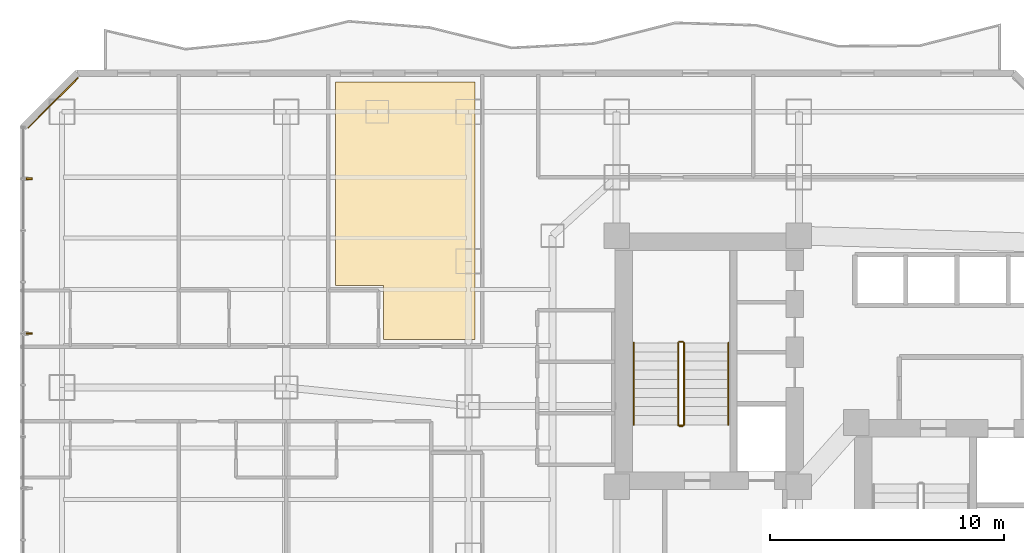
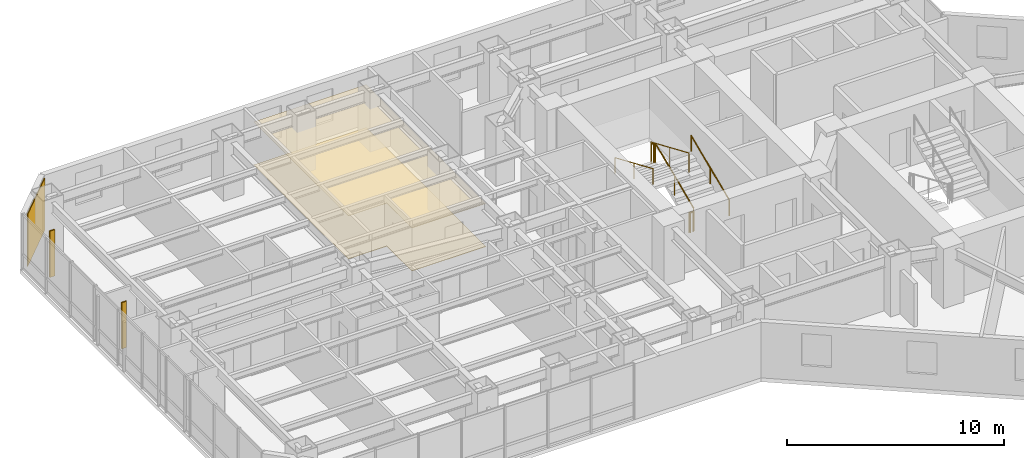
# One storey, part 35 of 37: 7 railings, 3 coverings, 2 shading devices.
"""IFC4 building model written with IfcOpenShell, lengths in metres."""

import ifcopenshell
import ifcopenshell.guid

model = None  # the IFC model being written
_history = None  # IfcOwnerHistory: only IFC2X3 demands one
_inside = {}  # id of a spatial element -> (the spatial element, [elements in it])
_under = {}  # id of a project, library or spatial element -> (it, [spatial elements below it])
_declared = {}  # id of a project -> (the project, [libraries it declares])
_typed = {}  # id of a type object -> (the type object, [elements of that type])
_made_of = {}  # id of a material, layer set ... -> (it, [elements and type objects made of it])


def new_model(schema):
    """Start an empty IFC model of exactly this schema.

    Asked for "IFC4X3", IfcOpenShell would pick the latest addendum, in which some entities
    have other attributes; the version numbers below select the first issue.
    IFC2X3 requires an IfcOwnerHistory on every rooted entity: one is made here for all.
    """
    global model, _history
    if schema == "IFC4X3":
        model = ifcopenshell.file(schema_version=(4, 3, 0, 0))
    else:
        model = ifcopenshell.file(schema=schema)
    _inside.clear()
    _under.clear()
    _declared.clear()
    _typed.clear()
    _made_of.clear()
    _history = None
    if model.schema == "IFC2X3":
        org = make("IfcOrganization", Name="unknown")
        user = make(
            "IfcPersonAndOrganization",
            ThePerson=make("IfcPerson", FamilyName="unknown"),
            TheOrganization=org,
        )
        app = make(
            "IfcApplication",
            ApplicationDeveloper=org,
            Version="unknown",
            ApplicationFullName="unknown",
            ApplicationIdentifier="unknown",
        )
        _history = make(
            "IfcOwnerHistory",
            OwningUser=user,
            OwningApplication=app,
            ChangeAction="ADDED",
            CreationDate=0,
        )
    return model


def make(cls, **values):
    """One entity of the class cls with the attributes given. An attribute that is None is left unset."""
    return model.create_entity(
        cls, **{name: value for name, value in values.items() if value is not None}
    )


def rooted(cls, **values):
    """An entity with a GlobalId (a new one), such as an element, a storey or a relation."""
    return make(cls, GlobalId=ifcopenshell.guid.new(), OwnerHistory=_history, **values)


def si_unit(unit_type, name, prefix=None):
    """IfcSIUnit, for example si_unit("LENGTHUNIT", "METRE", prefix="MILLI")."""
    return make("IfcSIUnit", UnitType=unit_type, Prefix=prefix, Name=name)


def assignment(units):
    """IfcUnitAssignment: the units of a project."""
    return None if units is None else make("IfcUnitAssignment", Units=units)


def point(xyz):
    """IfcCartesianPoint."""
    return None if xyz is None else make("IfcCartesianPoint", Coordinates=xyz)


def direction(xyz):
    """IfcDirection."""
    return None if xyz is None else make("IfcDirection", DirectionRatios=xyz)


def frame(location, z_axis=None, x_axis=None):
    """IfcAxis2Placement3D, a coordinate frame: its origin and axes. An axis left out is left unset."""
    return make(
        "IfcAxis2Placement3D",
        Location=point(location),
        Axis=direction(z_axis),
        RefDirection=direction(x_axis),
    )


def frame_2d(location, x_axis=None):
    """IfcAxis2Placement2D, a coordinate frame in the plane: its origin and x axis."""
    return make(
        "IfcAxis2Placement2D", Location=point(location), RefDirection=direction(x_axis)
    )


def origin():
    """The frame at (0, 0, 0) with its axes left unset."""
    return frame((0.0, 0.0, 0.0))


def origin_2d():
    """The frame at (0, 0) in the plane with its x axis left unset."""
    return frame_2d((0.0, 0.0))


def place(relative_to, where):
    """IfcLocalPlacement: puts the frame where relative to a parent placement (None: the world)."""
    return make(
        "IfcLocalPlacement", PlacementRelTo=relative_to, RelativePlacement=where
    )


def context(
    kind, dimensions, precision=None, world=None, true_north=None, identifier=None
):
    """IfcGeometricRepresentationContext, for example the 3D "Model" context."""
    return make(
        "IfcGeometricRepresentationContext",
        ContextIdentifier=identifier,
        ContextType=kind,
        CoordinateSpaceDimension=dimensions,
        Precision=precision,
        WorldCoordinateSystem=world,
        TrueNorth=true_north,
    )


def subcontext(parent, identifier, kind, view, scale=None):
    """IfcGeometricRepresentationSubContext, for example "Body" below "Model"."""
    return make(
        "IfcGeometricRepresentationSubContext",
        ContextIdentifier=identifier,
        ContextType=kind,
        ParentContext=parent,
        TargetScale=scale,
        TargetView=view,
    )


def project(units=None, contexts=None):
    """IfcProject with its units and contexts."""
    return rooted(
        "IfcProject",
        Name="project",
        RepresentationContexts=contexts,
        UnitsInContext=assignment(units),
    )


def spatial(cls, under=None, at=None, **own):
    """A site, building, storey or space (cls), placed at a placement, below another one or the project."""
    s = rooted(cls, ObjectPlacement=at, **own)
    if under is not None:
        _under.setdefault(under.id(), (under, []))[1].append(s)
    return s


def polyline(points):
    """IfcPolyline through the points."""
    return make("IfcPolyline", Points=[point(p) for p in points])


def profile(cls, at=None, kind="AREA", **sizes):
    """A parametric profile (cls). Its sizes go by their IFC names, for example OverallWidth=200.0."""
    return make(cls, ProfileType=kind, Position=at, **sizes)


def rectangle(**sizes):
    """IfcRectangleProfileDef."""
    return profile("IfcRectangleProfileDef", **sizes)


def circle(**sizes):
    """IfcCircleProfileDef."""
    return profile("IfcCircleProfileDef", **sizes)


def outline(outer, holes=None, kind="AREA"):
    """IfcArbitraryClosedProfileDef: a profile drawn as a closed curve; with holes, ...WithVoids."""
    if holes is None:
        return make("IfcArbitraryClosedProfileDef", ProfileType=kind, OuterCurve=outer)
    return make(
        "IfcArbitraryProfileDefWithVoids",
        ProfileType=kind,
        OuterCurve=outer,
        InnerCurves=holes,
    )


def extrude(swept, where, along, depth):
    """IfcExtrudedAreaSolid: the profile swept, set in the frame where, extruded along a direction by depth."""
    return make(
        "IfcExtrudedAreaSolid",
        SweptArea=swept,
        Position=where,
        ExtrudedDirection=direction(along),
        Depth=depth,
    )


def shape(context_of_items, identifier, shape_type, items):
    """IfcShapeRepresentation: the items that make up one representation, for example the "Body"."""
    return make(
        "IfcShapeRepresentation",
        ContextOfItems=context_of_items,
        RepresentationIdentifier=identifier,
        RepresentationType=shape_type,
        Items=items,
    )


def material(Name=None, Category=None):
    """IfcMaterial."""
    return make("IfcMaterial", Name=Name, Category=Category)


def layer(
    of_material, thickness, ventilated=None, Name=None, Category=None, Priority=None
):
    """IfcMaterialLayer: one layer of a wall or slab, of a material (None: an air gap)."""
    return make(
        "IfcMaterialLayer",
        Material=of_material,
        LayerThickness=thickness,
        IsVentilated=ventilated,
        Name=Name,
        Category=Category,
        Priority=Priority,
    )


def layer_set(layers, Name=None):
    """IfcMaterialLayerSet."""
    return make("IfcMaterialLayerSet", MaterialLayers=layers, LayerSetName=Name)


def made_of(thing, what):
    """Note that an element or type object is made of a material, layer set ...; save() writes the relation."""
    if what is not None:
        _made_of.setdefault(what.id(), (what, []))[1].append(thing)
    return thing


def type_object(cls, material=None, **own):
    """A type object (cls), such as IfcWallType, which elements share."""
    return made_of(rooted(cls, **own), material)


def element(
    cls,
    number,
    at=None,
    inside=None,
    cuts=None,
    type_object=None,
    material=None,
    context=None,
    identifier="Body",
    shape_type=None,
    held_by="IfcProductDefinitionShape",
    body=None,
    shapes=None,
    **own,
):
    """One element of the class cls, such as IfcWall. Its Tag is "e" and its number.

    at: its placement. inside: the storey or other place that contains it. cuts: it is an
    opening in that element (IfcRelVoidsElement). A single representation is given by context,
    identifier, shape_type and body (its items); several are given by shapes. held_by: the class
    of the entity that holds the representations. save() writes the other relations.
    """
    e = rooted(cls, Tag="e%d" % number, ObjectPlacement=at, **own)
    if body is not None:
        shapes = [shape(context, identifier, shape_type, body)]
    if shapes is not None:
        e.Representation = make(held_by, Representations=shapes)
    if inside is not None:
        _inside.setdefault(inside.id(), (inside, []))[1].append(e)
    if cuts is not None:
        rooted(
            "IfcRelVoidsElement", RelatingBuildingElement=cuts, RelatedOpeningElement=e
        )
    if type_object is not None:
        _typed.setdefault(type_object.id(), (type_object, []))[1].append(e)
    return made_of(e, material)


def aggregate(whole, parts):
    """IfcRelAggregates: a whole, such as a stair, and the parts it consists of."""
    return rooted("IfcRelAggregates", RelatingObject=whole, RelatedObjects=parts)


def save(model, path):
    """Write the relations noted so far, then the file.

    IfcRelAggregates (storeys below a building ...), IfcRelContainedInSpatialStructure (elements
    in a storey), IfcRelDefinesByType, IfcRelAssociatesMaterial and IfcRelDeclares: one each for
    every whole, place, type object, material and project.
    """
    for whole, parts in _under.values():
        aggregate(whole, parts)
    for where, things in _inside.values():
        rooted(
            "IfcRelContainedInSpatialStructure",
            RelatedElements=things,
            RelatingStructure=where,
        )
    for kind, things in _typed.values():
        rooted("IfcRelDefinesByType", RelatedObjects=things, RelatingType=kind)
    for what, things in _made_of.values():
        rooted("IfcRelAssociatesMaterial", RelatedObjects=things, RelatingMaterial=what)
    for by, libraries in _declared.values():
        rooted("IfcRelDeclares", RelatingContext=by, RelatedDefinitions=libraries)
    model.write(path)


model = new_model("IFC4")

# Units and contexts
model_context = context("Model", 3, precision=1e-05, world=origin(), true_north=direction((0.0, 1.0)))
body_context = subcontext(model_context, "Body", "Model", "MODEL_VIEW")
ifc_project = project(units=[si_unit("LENGTHUNIT", "METRE"), si_unit("AREAUNIT", "SQUARE_METRE"), si_unit("VOLUMEUNIT", "CUBIC_METRE"), si_unit("PLANEANGLEUNIT", "RADIAN"), si_unit("MASSUNIT", "GRAM", prefix="KILO")], contexts=[model_context])

# Site, building, storey
site_placement = place(None, origin())
site = spatial("IfcSite", under=ifc_project, at=site_placement, CompositionType="ELEMENT")
building_placement = place(site_placement, origin())
building = spatial("IfcBuilding", under=site, at=building_placement, Name="Hatsunagi Terrace Concourse", CompositionType="ELEMENT")
storey_placement = place(building_placement, frame((0.0, 0.0, 50.0)))
storey = spatial("IfcBuildingStorey", under=building, at=storey_placement, Name="L12", CompositionType="ELEMENT", Elevation=50.0)

# Coverings
ifc_material_1 = material(Name="Acoustic mineral board", Category="gypsum")
ifc_layer_1 = layer(ifc_material_1, 0.02001953125)
ifc_layer_set_1 = layer_set([ifc_layer_1], Name="AcousticMineralCeiling_20")
covering_type_1 = type_object("IfcCoveringType", Name="AcousticMineralCeiling_20", PredefinedType="CEILING", material=ifc_layer_set_1)
covering_1_placement = place(storey_placement, frame((0.0, 0.0, 2.419921875)))
element("IfcCovering", 1, at=covering_1_placement, inside=storey, type_object=covering_type_1, Name="Suspended Ceiling L12-2", PredefinedType="CEILING", context=body_context, shape_type="SweptSolid", body=[
    extrude(outline(polyline([(13.510009765625, 49.8701171875), (13.510009765625, 41.157958984375), (15.555908203125, 41.155029296875), (15.55810546875, 38.85009765625), (19.489990234375, 38.85009765625), (19.489990234375, 49.8701171875), (13.510009765625, 49.8701171875)])), origin(), (0.0, 0.0, 1.0), 0.02001953125),
])
ifc_material_2 = material(Name="Granite stone paving", Category="masonry")
ifc_layer_2 = layer(ifc_material_2, 0.02490234375)
ifc_layer_set_2 = layer_set([ifc_layer_2], Name="GraniteStoneFlooring_25")
covering_type_2 = type_object("IfcCoveringType", Name="GraniteStoneFlooring_25", PredefinedType="FLOORING", material=ifc_layer_set_2)
covering_2_placement = place(storey_placement, origin())
element("IfcCovering", 2, at=covering_2_placement, inside=storey, type_object=covering_type_2, Name="Finished Flooring L12-2", PredefinedType="FLOORING", context=body_context, shape_type="SweptSolid", body=[
    extrude(outline(polyline([(13.510009765625, 49.8701171875), (13.510009765625, 41.157958984375), (15.555908203125, 41.155029296875), (15.55810546875, 38.85009765625), (19.489990234375, 38.85009765625), (19.489990234375, 49.8701171875), (13.510009765625, 49.8701171875)])), origin(), (0.0, 0.0, 1.0), 0.02490234375),
])

# Railings
ifc_material_3 = material(Name="Stainless steel", Category="steel")
ifc_layer_3 = layer(ifc_material_3, 0.044921875)
ifc_layer_set_3 = layer_set([ifc_layer_3], Name="StairPitchHandrail_Tower2000")
railing_type_1 = type_object("IfcRailingType", Name="StairPitchHandrail_Tower2000", PredefinedType="HANDRAIL", material=ifc_layer_set_3)
railing_1_placement = place(storey_placement, frame((30.330078125, 35.199951171875, 0.16748046875)))
element("IfcRailing", 3, at=railing_1_placement, inside=storey, type_object=railing_type_1, Name="L12 ST-A stair handrail 1", PredefinedType="HANDRAIL", context=body_context, shape_type="SweptSolid", body=[
    extrude(circle(Radius=0.02392578125, at=origin_2d()), frame((0.0, 0.0, 0.8759765625), z_axis=(0.0, 0.918834009242, 0.394644223904), x_axis=(-1.0, 0.0, 0.0)), (0.0, 0.0, 1.0), 3.820068359375),
    extrude(circle(Radius=0.02099609375, at=origin_2d()), origin(), (0.0, 0.0, 1.0), 0.851806640625),
    extrude(circle(Radius=0.02099609375, at=origin_2d()), frame((0.0, 1.7548828125, 0.75390625)), (0.0, 0.0, 1.0), 0.851806640625),
    extrude(circle(Radius=0.02099609375, at=origin_2d()), frame((0.0, 3.510009765625, 1.507568359375)), (0.0, 0.0, 1.0), 0.851806640625),
])
railing_2_placement = place(storey_placement, frame((26.280029296875, 38.7099609375, 1.842529296875)))
element("IfcRailing", 4, at=railing_2_placement, inside=storey, type_object=railing_type_1, Name="L12 ST-A stair handrail 2", PredefinedType="HANDRAIL", context=body_context, shape_type="SweptSolid", body=[
    extrude(circle(Radius=0.02392578125, at=origin_2d()), frame((0.0, 0.0, 0.8759765625), z_axis=(0.0, -0.918834009242, 0.394644223904), x_axis=(1.0, 0.0, 0.0)), (0.0, 0.0, 1.0), 3.820068359375),
    extrude(circle(Radius=0.02099609375, at=origin_2d()), origin(), (0.0, 0.0, 1.0), 0.851806640625),
    extrude(circle(Radius=0.02099609375, at=origin_2d()), frame((0.0, -1.7548828125, 0.75390625)), (0.0, 0.0, 1.0), 0.851806640625),
    extrude(circle(Radius=0.02099609375, at=origin_2d()), frame((0.0, -3.510009765625, 1.507568359375)), (0.0, 0.0, 1.0), 0.851806640625),
])
ifc_material_4 = material(Name="Stainless steel", Category="steel")
ifc_layer_4 = layer(ifc_material_4, 0.06005859375)
ifc_layer_set_4 = layer_set([ifc_layer_4], Name="StairWellGuard_Tower2000")
railing_type_2 = type_object("IfcRailingType", Name="StairWellGuard_Tower2000", PredefinedType="BALUSTRADE", material=ifc_layer_set_4)
railing_3_placement = place(storey_placement, frame((28.429931640625, 35.199951171875, 0.16748046875)))
element("IfcRailing", 5, at=railing_3_placement, inside=storey, type_object=railing_type_2, Name="L12 ST-A stair guard 1", PredefinedType="BALUSTRADE", context=body_context, shape_type="SweptSolid", body=[
    extrude(circle(Radius=0.02392578125, at=origin_2d()), frame((0.0, 0.0, 1.09619140625), z_axis=(0.0, 0.918834009242, 0.394644223904), x_axis=(-1.0, 0.0, 0.0)), (0.0, 0.0, 1.0), 3.820068359375),
    extrude(circle(Radius=0.02099609375, at=origin_2d()), origin(), (0.0, 0.0, 1.0), 1.072021484375),
    extrude(circle(Radius=0.02099609375, at=origin_2d()), frame((0.0, 1.7548828125, 0.75390625)), (0.0, 0.0, 1.0), 1.072021484375),
    extrude(circle(Radius=0.02099609375, at=origin_2d()), frame((0.0, 3.510009765625, 1.507568359375)), (0.0, 0.0, 1.0), 1.072021484375),
])
railing_4_placement = place(storey_placement, frame((28.3798828125, 38.760009765625, 1.675048828125)))
element("IfcRailing", 6, at=railing_4_placement, inside=storey, type_object=railing_type_2, Name="L12 ST-A stair guard 2", PredefinedType="BALUSTRADE", context=body_context, shape_type="SweptSolid", body=[
    extrude(circle(Radius=0.02392578125, at=origin_2d()), frame((0.0, 0.0, 1.09619140625), z_axis=(-1.0, 0.0, 0.0), x_axis=(0.0, -1.0, 0.0)), (0.0, 0.0, 1.0), 0.14990234375),
    extrude(circle(Radius=0.02099609375, at=origin_2d()), origin(), (0.0, 0.0, 1.0), 1.072021484375),
    extrude(circle(Radius=0.02099609375, at=origin_2d()), frame((-0.14990234375, 0.0, 0.0)), (0.0, 0.0, 1.0), 1.072021484375),
])
railing_5_placement = place(storey_placement, frame((28.179931640625, 38.7099609375, 1.842529296875)))
element("IfcRailing", 7, at=railing_5_placement, inside=storey, type_object=railing_type_2, Name="L12 ST-A stair guard 3", PredefinedType="BALUSTRADE", context=body_context, shape_type="SweptSolid", body=[
    extrude(circle(Radius=0.02392578125, at=origin_2d()), frame((0.0, 0.0, 1.09619140625), z_axis=(0.0, -0.918834009242, 0.394644223904), x_axis=(1.0, 0.0, 0.0)), (0.0, 0.0, 1.0), 3.820068359375),
    extrude(circle(Radius=0.02099609375, at=origin_2d()), origin(), (0.0, 0.0, 1.0), 1.072021484375),
    extrude(circle(Radius=0.02099609375, at=origin_2d()), frame((0.0, -1.7548828125, 0.75390625)), (0.0, 0.0, 1.0), 1.072021484375),
    extrude(circle(Radius=0.02099609375, at=origin_2d()), frame((0.0, -3.510009765625, 1.507568359375)), (0.0, 0.0, 1.0), 1.072021484375),
])
railing_6_placement = place(storey_placement, frame((28.3798828125, 35.14990234375, 0.0)))
element("IfcRailing", 8, at=railing_6_placement, inside=storey, type_object=railing_type_2, Name="L12 ST-A stair guard 4", PredefinedType="BALUSTRADE", context=body_context, shape_type="SweptSolid", body=[
    extrude(circle(Radius=0.02392578125, at=origin_2d()), frame((0.0, 0.0, 1.09619140625), z_axis=(-1.0, 0.0, 0.0), x_axis=(0.0, -1.0, 0.0)), (0.0, 0.0, 1.0), 0.14990234375),
    extrude(circle(Radius=0.02099609375, at=origin_2d()), origin(), (0.0, 0.0, 1.0), 1.072021484375),
    extrude(circle(Radius=0.02099609375, at=origin_2d()), frame((-0.14990234375, 0.0, 0.0)), (0.0, 0.0, 1.0), 1.072021484375),
])
ifc_material_5 = material(Name="Stainless Steel SUS316 Post-and-Rail Guard", Category="steel")
ifc_layer_5 = layer(ifc_material_5, 0.080078125)
ifc_layer_set_5 = layer_set([ifc_layer_5], Name="TerracePlantedGuardRail_1200")
railing_type_3 = type_object("IfcRailingType", Name="TerracePlantedGuardRail_1200", PredefinedType="GUARDRAIL", material=ifc_layer_set_5)
railing_7_placement = place(storey_placement, frame((28.179931640625, 35.179931640625, 0.0)))
element("IfcRailing", 9, at=railing_7_placement, inside=storey, type_object=railing_type_3, Name="Stair ST-A Well Closure Guard L12", PredefinedType="GUARDRAIL", context=body_context, shape_type="SweptSolid", body=[
    extrude(circle(Radius=0.02392578125, at=origin_2d()), frame((0.0, 0.0, 1.09619140625), z_axis=(1.0, 0.0, 0.0), x_axis=(0.0, 1.0, 0.0)), (0.0, 0.0, 1.0), 0.25),
    extrude(circle(Radius=0.02099609375, at=origin_2d()), origin(), (0.0, 0.0, 1.0), 1.072021484375),
    extrude(circle(Radius=0.02099609375, at=origin_2d()), frame((0.25, 0.0, 0.0)), (0.0, 0.0, 1.0), 1.072021484375),
])

# Shading devices
ifc_material_6 = material(Name="Extruded Unglazed Terracotta Baguette", Category="masonry")
shading_device_type = type_object("IfcShadingDeviceType", Name="TerracottaFinScreen_260x70", PredefinedType="USERDEFINED", material=ifc_material_6)
for number, where, z_axis, x_axis, name in (
    (10, (0.389892578125, 39.10791015625, 0.849853515625), (0.0, 0.0, 1.0), (0.0, 1.0, 0.0), "Terracotta Baguette Fin Screen SCR-01"),
    (11, (0.389892578125, 45.73388671875, 0.849853515625), (0.0, 0.0, 1.0), (0.0, 1.0, 0.0), "Terracotta Baguette Fin Screen SCR-01"),
):
    element("IfcShadingDevice", number, at=place(storey_placement, frame(where, z_axis=z_axis, x_axis=x_axis)), inside=storey, type_object=shading_device_type, Name=name, ObjectType="SUNSHADE", PredefinedType="USERDEFINED", context=body_context, shape_type="SweptSolid", body=[
        extrude(rectangle(XDim=0.070068359375, YDim=0.260009765625, at=origin_2d()), origin(), (0.0, 0.0, 1.0), 2.60009765625),
    ])

# Covering
ifc_material_7 = material(Name="Unglazed Warm Terracotta Rainscreen Tile", Category="masonry")
ifc_layer_6 = layer(ifc_material_7, 0.044921875)
ifc_layer_set_6 = layer_set([ifc_layer_6], Name="TerracottaRainscreenCladding_45")
covering_type_3 = type_object("IfcCoveringType", Name="TerracottaRainscreenCladding_45", PredefinedType="CLADDING", material=ifc_layer_set_6)
covering_3_placement = place(storey_placement, frame((1.4140625, 48.986083984375, 0.10009765625), z_axis=(0.0, 0.0, 1.0), x_axis=(0.707106781187, 0.707106781187, 0.0)))
element("IfcCovering", 12, at=covering_3_placement, inside=storey, type_object=covering_type_3, Name="Terracotta Rainscreen Cladding L12-10", PredefinedType="CLADDING", context=body_context, shape_type="SweptSolid", body=[
    extrude(rectangle(XDim=3.0380859375, YDim=0.044921875, at=origin_2d()), origin(), (0.0, 0.0, 1.0), 2.929931640625),
])

save(model, "model.ifc")
